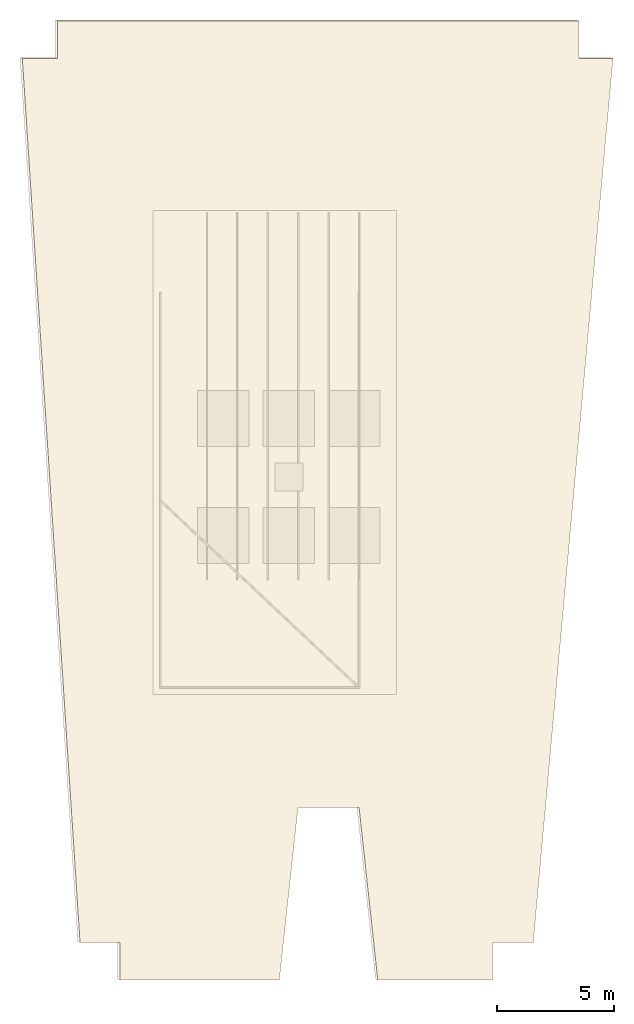
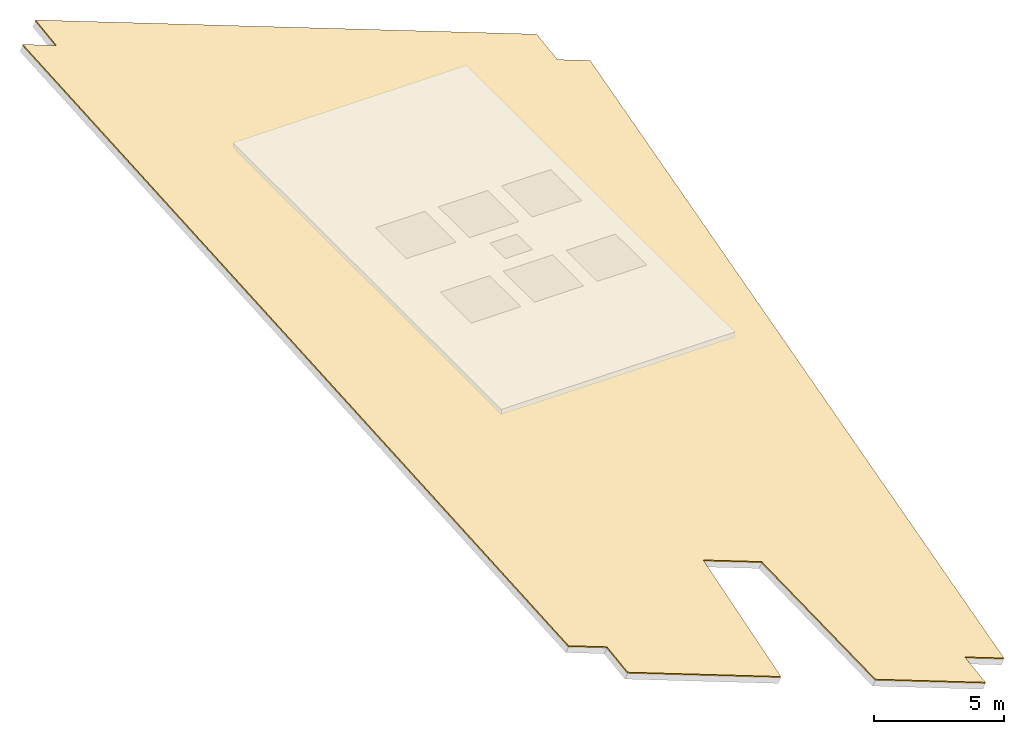
# One storey, part 2 of 2: 1 covering.
"""IFC4 building model written with IfcOpenShell, lengths in metres."""

from ifc_helpers import new_model, si_unit, direction, frame, origin, place, context, subcontext, project, spatial, polyline, outline, extrude, material, layer, layer_set, type_object, element, save


model = new_model("IFC4")

# Units and contexts
model_context = context("Model", 3, precision=1e-05, world=origin(), true_north=direction((0.0, 1.0)))
body_context = subcontext(model_context, "Body", "Model", "MODEL_VIEW")
ifc_project = project(units=[si_unit("LENGTHUNIT", "METRE"), si_unit("AREAUNIT", "SQUARE_METRE"), si_unit("VOLUMEUNIT", "CUBIC_METRE"), si_unit("PLANEANGLEUNIT", "RADIAN"), si_unit("MASSUNIT", "GRAM", prefix="KILO")], contexts=[model_context])

# Site, building, storey
site_placement = place(None, origin())
site = spatial("IfcSite", under=ifc_project, at=site_placement, CompositionType="ELEMENT")
building_placement = place(site_placement, origin())
building = spatial("IfcBuilding", under=site, at=building_placement, Name="Caeloran Harvest Quay", CompositionType="ELEMENT")
storey_placement = place(building_placement, frame((0.0, 0.0, 346.64990234375)))
storey = spatial("IfcBuildingStorey", under=building, at=storey_placement, Name="Roof Crown", CompositionType="ELEMENT", Elevation=346.64990234375)

# Covering
ifc_material = material(Name="Elastomeric Waterproofing and Insulated Cool-Roof Membrane", Category="membrane")
ifc_layer = layer(ifc_material, 0.050048828125, Name="Elastomeric Waterproofing and Insulated Cool-Roof Membrane")
ifc_layer_set = layer_set([ifc_layer], Name="Elastomeric Waterproofing and Insulated Cool-Roof Membrane")
covering_type = type_object("IfcCoveringType", Name="ROOF-MEMBRANE-CROWN", PredefinedType="ROOFING", material=ifc_layer_set)
covering_placement = place(storey_placement, frame((6.777587890625, 2.5, -7.27734375), z_axis=(0.352220378108, -0.129761973054, 0.92687789681), x_axis=(0.934781221852, -1.916747e-06, -0.355223967756)))
element("IfcCovering", 1, at=covering_placement, inside=storey, type_object=covering_type, Name="Crown Sloped Roof Waterproofing Membrane", PredefinedType="ROOFING", context=body_context, shape_type="SweptSolid", body=[
    extrude(outline(polyline([(0.0, 0.0), (7.290453827330492, 0.0), (7.779263918365279, 7.442823110515694), (10.568561357461546, 7.44284266071478), (11.791436766361713, 3.9677525818793136e-05), (17.035851080996427, 3.639511231934289e-05), (16.95632155443498, 1.6137614145625858), (18.822396970107217, 1.6137695304201394), (20.589165001943925, 39.7359314059243), (19.03186941774625, 39.73589926712839), (18.9522531665833, 41.3496539004411), (-4.903309699834733, 41.34958208411937), (-4.823780173273287, 39.735857064669105), (-6.423738953059479, 39.735856198977636), (-1.903115195848171, 1.6137448582131755), (-0.07952952656144718, 1.6137250194502661), (0.0, 0.0)])), origin(), (0.0, 0.0, -1.0), 0.050048828125),
])

save(model, "model.ifc")
